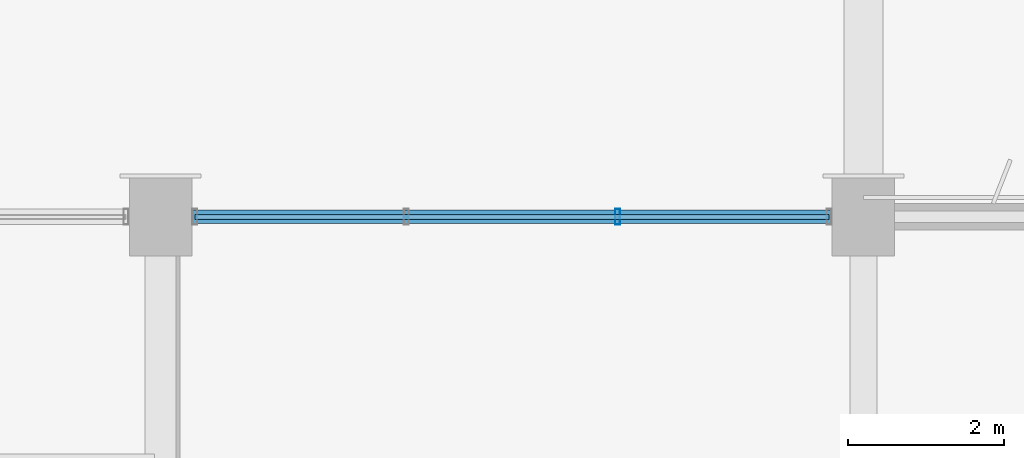
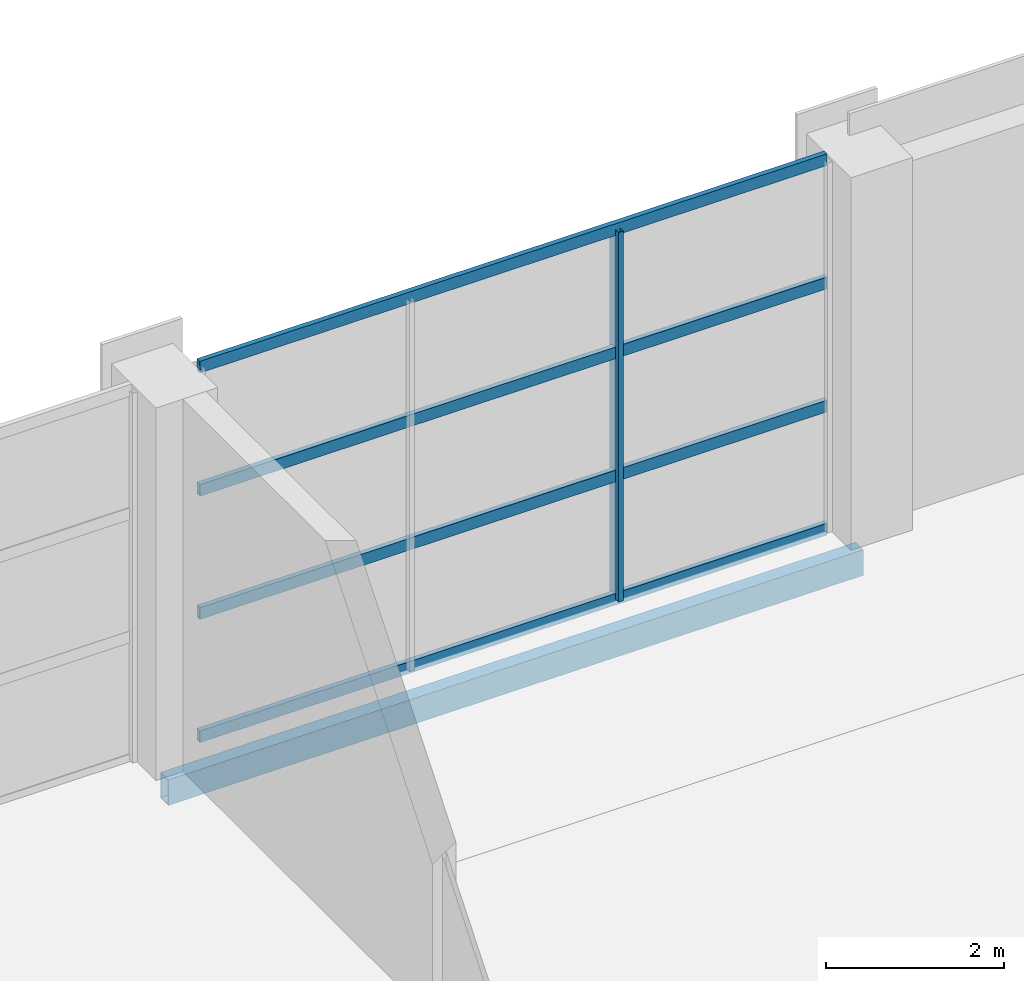
# One storey, part 57 of 90: 5 members, 1 beam, 1 element without a shape of its own.
"""IFC4 building model written with IfcOpenShell, lengths in metres."""

from ifc_helpers import new_model, si_unit, direction, frame, origin, origin_2d, place, context, subcontext, project, spatial, hollow_rectangle, extrude, material, material_profile, profile_set, type_object, element, aggregate, save


model = new_model("IFC4")

# Units and contexts
model_context = context("Model", 3, precision=1e-05, world=origin(), true_north=direction((0.0, 1.0)))
body_context = subcontext(model_context, "Body", "Model", "MODEL_VIEW")
ifc_project = project(units=[si_unit("LENGTHUNIT", "METRE"), si_unit("AREAUNIT", "SQUARE_METRE"), si_unit("VOLUMEUNIT", "CUBIC_METRE"), si_unit("PLANEANGLEUNIT", "RADIAN"), si_unit("MASSUNIT", "GRAM", prefix="KILO")], contexts=[model_context])

# Site, building, storey
site_placement = place(None, origin())
site = spatial("IfcSite", under=ifc_project, at=site_placement, CompositionType="ELEMENT")
building_placement = place(site_placement, origin())
building = spatial("IfcBuilding", under=site, at=building_placement, Name="Solvikara Media Centre", CompositionType="ELEMENT")
storey_placement = place(building_placement, origin())
storey = spatial("IfcBuildingStorey", under=building, at=storey_placement, Name="L00", CompositionType="ELEMENT", Elevation=0.0)

# Beam
ifc_material_1 = material(Name="Steel S355JR", Category="steel")
ifc_material_profile_1 = material_profile(ifc_material_1, hollow_rectangle(XDim=0.175048828125, YDim=0.35009765625, WallThickness=0.010009765625, at=origin_2d()), Name="RHS 350x175x10")
ifc_profile_set_1 = profile_set([ifc_material_profile_1], Name="Steel S355JR")
beam_type = type_object("IfcBeamType", Name="BM-34", PredefinedType="SPANDREL", material=ifc_profile_set_1)
beam_placement = place(storey_placement, frame((136.5, 114.0, -0.556884765625), z_axis=(1.0, 0.0, 0.0), x_axis=(0.0, 1.0, 0.0)))
element("IfcBeam", 1, at=beam_placement, inside=storey, type_object=beam_type, Name="B-L00-X0108", PredefinedType="SPANDREL", context=body_context, shape_type="SweptSolid", body=[
    extrude(hollow_rectangle(XDim=0.175048828125, YDim=0.35009765625, WallThickness=0.010009765625, at=origin_2d()), origin(), (0.0, 0.0, 1.0), 9.0),
])

# Curtain wall, members
ifc_material_2 = material(Name="Anodised aluminium EN AW-6063", Category="aluminium")
curtain_wall_type = type_object("IfcCurtainWallType", Name="CW-11", PredefinedType="NOTDEFINED", material=ifc_material_2)
curtain_wall_placement = place(storey_placement, origin())
curtain_wall = element("IfcCurtainWall", 2, at=curtain_wall_placement, inside=storey, type_object=curtain_wall_type, Name="CW-L00-V2N-1-S2", PredefinedType="NOTDEFINED")
ifc_material_profile_2 = material_profile(ifc_material_2, hollow_rectangle(XDim=0.06494140625, YDim=0.199951171875, WallThickness=0.00390625, at=origin_2d()), Name="ALU-M 65x200x4")
ifc_profile_set_2 = profile_set([ifc_material_profile_2], Name="Anodised aluminium EN AW-6063")
member_type_1 = type_object("IfcMemberType", Name="MF-02", PredefinedType="MULLION", material=ifc_profile_set_2)
member_1_placement = place(storey_placement, frame((142.35302734375, 114.0, 0.02001953125), z_axis=(0.0, 0.0, 1.0), x_axis=(1.0, 0.0, 0.0)))
member_1 = element("IfcMember", 3, at=member_1_placement, type_object=member_type_1, Name="CW-L00-V2N-1-S2-M02", PredefinedType="MULLION", context=body_context, shape_type="SweptSolid", body=[
    extrude(hollow_rectangle(XDim=0.06494140625, YDim=0.199951171875, WallThickness=0.00390625, at=origin_2d()), origin(), (0.0, 0.0, 1.0), 5.06005859375),
])
ifc_material_profile_3 = material_profile(ifc_material_2, hollow_rectangle(XDim=0.06494140625, YDim=0.159912109375, WallThickness=0.00341796875, at=origin_2d()), Name="ALU-T 65x160x3.5")
ifc_profile_set_3 = profile_set([ifc_material_profile_3], Name="Anodised aluminium EN AW-6063")
member_type_2 = type_object("IfcMemberType", Name="MF-08", PredefinedType="USERDEFINED", material=ifc_profile_set_3)
member_2_placement = place(storey_placement, frame((136.93994140625, 114.0, 0.02001953125), z_axis=(1.0, 0.0, 0.0), x_axis=(0.0, 1.0, 0.0)))
member_2 = element("IfcMember", 4, at=member_2_placement, type_object=member_type_2, Name="CW-L00-V2N-1-S2-T00", ObjectType="TRANSOM", PredefinedType="USERDEFINED", context=body_context, shape_type="SweptSolid", body=[
    extrude(hollow_rectangle(XDim=0.06494140625, YDim=0.159912109375, WallThickness=0.00341796875, at=origin_2d()), origin(), (0.0, 0.0, 1.0), 8.1201171875),
])
member_3_placement = place(storey_placement, frame((136.93994140625, 114.0, 1.70703125), z_axis=(1.0, 0.0, 0.0), x_axis=(0.0, 1.0, 0.0)))
member_3 = element("IfcMember", 5, at=member_3_placement, type_object=member_type_2, Name="CW-L00-V2N-1-S2-T01", ObjectType="TRANSOM", PredefinedType="USERDEFINED", context=body_context, shape_type="SweptSolid", body=[
    extrude(hollow_rectangle(XDim=0.06494140625, YDim=0.159912109375, WallThickness=0.00341796875, at=origin_2d()), origin(), (0.0, 0.0, 1.0), 8.1201171875),
])
member_4_placement = place(storey_placement, frame((136.93994140625, 114.0, 3.39306640625), z_axis=(1.0, 0.0, 0.0), x_axis=(0.0, 1.0, 0.0)))
member_4 = element("IfcMember", 6, at=member_4_placement, type_object=member_type_2, Name="CW-L00-V2N-1-S2-T02", ObjectType="TRANSOM", PredefinedType="USERDEFINED", context=body_context, shape_type="SweptSolid", body=[
    extrude(hollow_rectangle(XDim=0.06494140625, YDim=0.159912109375, WallThickness=0.00341796875, at=origin_2d()), origin(), (0.0, 0.0, 1.0), 8.1201171875),
])
member_5_placement = place(storey_placement, frame((136.93994140625, 114.0, 5.080078125), z_axis=(1.0, 0.0, 0.0), x_axis=(0.0, 1.0, 0.0)))
member_5 = element("IfcMember", 7, at=member_5_placement, type_object=member_type_2, Name="CW-L00-V2N-1-S2-T03", ObjectType="TRANSOM", PredefinedType="USERDEFINED", context=body_context, shape_type="SweptSolid", body=[
    extrude(hollow_rectangle(XDim=0.06494140625, YDim=0.159912109375, WallThickness=0.00341796875, at=origin_2d()), origin(), (0.0, 0.0, 1.0), 8.1201171875),
])
aggregate(curtain_wall, [member_1, member_2, member_3, member_4, member_5])

save(model, "model.ifc")
